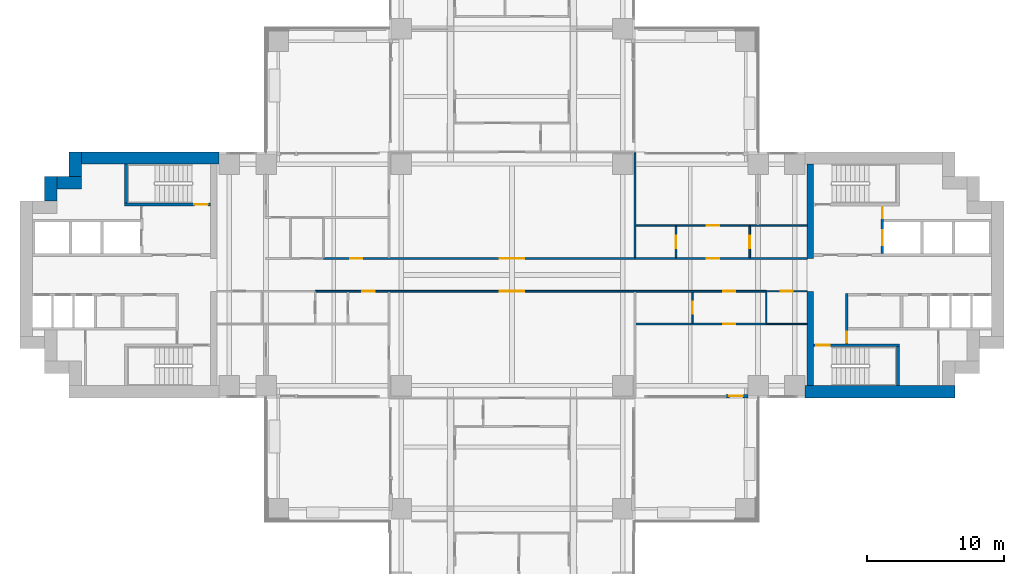
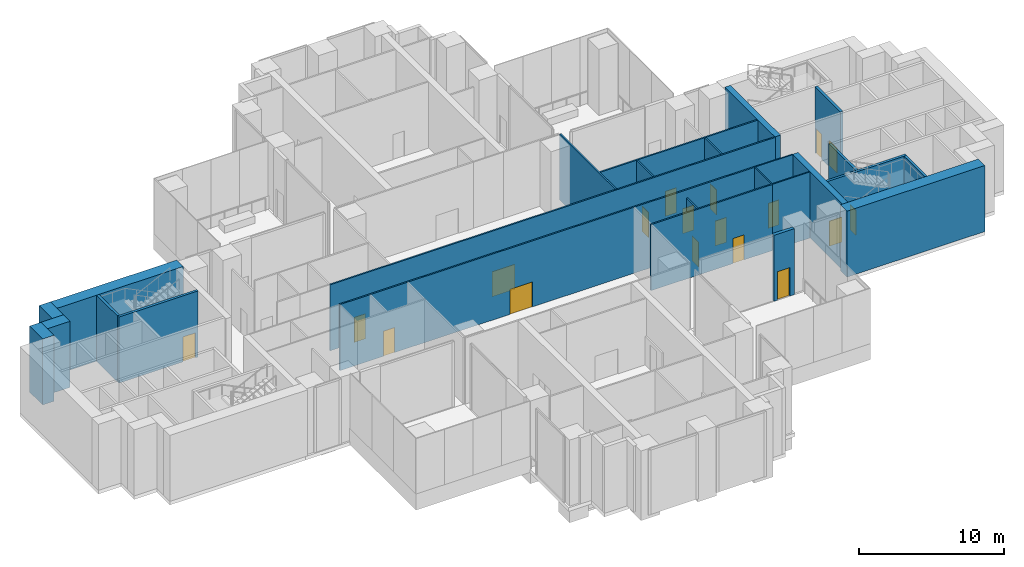
# One storey, part 10 of 17: 25 walls, 18 doors, 18 openings.
"""IFC4 building model written with IfcOpenShell, lengths in metres."""

from ifc_helpers import new_model, si_unit, direction, frame, frame_2d, origin, place, context, subcontext, project, spatial, rectangle, extrude, material, layer, layer_set, type_object, element, fill, save


model = new_model("IFC4")

# Units and contexts
model_context = context("Model", 3, precision=1e-05, world=origin(), true_north=direction((0.0, 1.0)))
body_context = subcontext(model_context, "Body", "Model", "MODEL_VIEW")
ifc_project = project(units=[si_unit("LENGTHUNIT", "METRE"), si_unit("AREAUNIT", "SQUARE_METRE"), si_unit("VOLUMEUNIT", "CUBIC_METRE"), si_unit("PLANEANGLEUNIT", "RADIAN"), si_unit("MASSUNIT", "GRAM", prefix="KILO")], contexts=[model_context])

# Site, building, storey
site_placement = place(None, origin())
site = spatial("IfcSite", under=ifc_project, at=site_placement, CompositionType="ELEMENT")
building_placement = place(site_placement, origin())
building = spatial("IfcBuilding", under=site, at=building_placement, Name="Perihelion Cross Residences", CompositionType="ELEMENT")
storey_placement = place(building_placement, frame((0.0, 0.0, 21.0)))
storey = spatial("IfcBuildingStorey", under=building, at=storey_placement, Name="L02", CompositionType="ELEMENT", Elevation=21.0)

# Wall, opening, door
ifc_material_1 = material(Name="Concrete C30/37, bronze-clad", Category="concrete")
ifc_layer_1 = layer(ifc_material_1, 0.25)
ifc_layer_set_1 = layer_set([ifc_layer_1], Name="Bronze-clad pier wall 250")
wall_type_1 = type_object("IfcWallType", Name="Bronze-clad pier wall 250", PredefinedType="SOLIDWALL", material=ifc_layer_set_1)
wall_1_placement = place(storey_placement, frame((15.64990234375, -8.875, 0.0), z_axis=(0.0, 0.0, 1.0), x_axis=(1.0, 0.0, 0.0)))
wall_1 = element("IfcWall", 1, at=wall_1_placement, inside=storey, type_object=wall_type_1, Name="Wall FW1 L02 east side south bay 1 pier", PredefinedType="SOLIDWALL", context=body_context, shape_type="SweptSolid", body=[
    extrude(rectangle(XDim=1.60009765625, YDim=0.25, at=frame_2d((0.800048828125, 0.0))), origin(), (0.0, 0.0, 1.0), 5.550048828125),
])
opening_1_placement = place(wall_1_placement, frame((0.25, 0.0, 0.0)))
opening_1 = element("IfcOpeningElement", 2, at=opening_1_placement, cuts=wall_1, Name="Opening L02.E08", PredefinedType="OPENING", context=body_context, shape_type="SweptSolid", body=[
    extrude(rectangle(XDim=1.0, YDim=2.39990234375, at=frame_2d((0.5, 1.199951171875))), frame((0.0, 0.135009765625, 0.0), z_axis=(0.0, -1.0, 0.0), x_axis=(1.0, 0.0, 0.0)), (0.0, 0.0, 1.0), 0.27001953125),
])
ifc_material_2 = material(Name="Bronze anodised aluminium, glazed", Category="aluminium")
door_type_1 = type_object("IfcDoorType", Name="Balcony door 1000 x 2400", OperationType="NOTDEFINED", PredefinedType="DOOR", material=ifc_material_2)
door_1_placement = place(opening_1_placement, origin())
door_1 = element("IfcDoor", 3, at=door_1_placement, inside=storey, type_object=door_type_1, Name="Door L02.E08 east side south bay 1", OperationType="SINGLE_SWING_LEFT", OverallHeight=2.39990234375, OverallWidth=1.0, PredefinedType="DOOR", context=body_context, shape_type="SweptSolid", body=[
    extrude(rectangle(XDim=1.0, YDim=2.39990234375, at=frame_2d((0.5, 1.199951171875))), frame((0.0, 0.02490234375, 0.0), z_axis=(0.0, -1.0, 0.0), x_axis=(1.0, 0.0, 0.0)), (0.0, 0.0, 1.0), 0.050048828125),
])
fill(opening_1, door_1)

# Walls
ifc_material_3 = material(Name="Concrete C60/75", Category="concrete")
ifc_layer_2 = layer(ifc_material_3, 0.449951171875)
ifc_layer_set_2 = layer_set([ifc_layer_2], Name="Core wall, inner 450")
wall_type_2 = type_object("IfcWallType", Name="Core wall, inner 450", PredefinedType="SHEAR", material=ifc_layer_set_2)
for number, where, z_axis, x_axis, name in (
    (4, (21.824951171875, -8.10009765625, 0.0), (0.0, 0.0, 1.0), (0.0, 1.0, 0.0), "East core core wall, inner"),
    (5, (21.824951171875, 1.199951171875, 0.0), (0.0, 0.0, 1.0), (0.0, 1.0, 0.0), "East core core wall, inner"),
):
    element("IfcWall", number, at=place(storey_placement, frame(where, z_axis=z_axis, x_axis=x_axis)), inside=storey, type_object=wall_type_2, Name=name, PredefinedType="SHEAR", context=body_context, shape_type="SweptSolid", body=[
        extrude(rectangle(XDim=6.900146484375, YDim=0.449951171875, at=frame_2d((3.4501953125, 0.0))), origin(), (0.0, 0.0, 1.0), 5.550048828125),
    ])
ifc_material_4 = material(Name="Concrete C60/75", Category="concrete")
ifc_layer_3 = layer(ifc_material_4, 0.89990234375)
ifc_layer_set_3 = layer_set([ifc_layer_3], Name="Core wall, outer 900")
wall_type_3 = type_object("IfcWallType", Name="Core wall, outer 900", PredefinedType="SHEAR", material=ifc_layer_set_3)
wall_2_placement = place(storey_placement, frame((21.449951171875, -8.550048828125, 0.0), z_axis=(0.0, 0.0, 1.0), x_axis=(1.0, 0.0, 0.0)))
element("IfcWall", 6, at=wall_2_placement, inside=storey, type_object=wall_type_3, Name="East core core wall, outer", PredefinedType="SHEAR", context=body_context, shape_type="SweptSolid", body=[
    extrude(rectangle(XDim=10.949951171875, YDim=0.89990234375, at=frame_2d((5.47509765625, 0.0))), origin(), (0.0, 0.0, 1.0), 5.550048828125),
])
for number, where, z_axis, x_axis, name in (
    (7, (-33.75, 5.39990234375, 0.0), (0.0, 0.0, 1.0), (0.0, 1.0, 0.0), "West core core wall, outer"),
    (8, (-33.300048828125, 6.75, 0.0), (0.0, 0.0, 1.0), (1.0, 0.0, 0.0), "West core core wall, outer"),
    (9, (-31.949951171875, 7.199951171875, 0.0), (0.0, 0.0, 1.0), (0.0, 1.0, 0.0), "West core core wall, outer"),
):
    element("IfcWall", number, at=place(storey_placement, frame(where, z_axis=z_axis, x_axis=x_axis)), inside=storey, type_object=wall_type_3, Name=name, PredefinedType="SHEAR", context=body_context, shape_type="SweptSolid", body=[
        extrude(rectangle(XDim=1.800048828125, YDim=0.89990234375, at=frame_2d((0.89990234375, 0.0))), origin(), (0.0, 0.0, 1.0), 5.550048828125),
    ])
wall_3_placement = place(storey_placement, frame((-31.5, 8.550048828125, 0.0), z_axis=(0.0, 0.0, 1.0), x_axis=(1.0, 0.0, 0.0)))
element("IfcWall", 10, at=wall_3_placement, inside=storey, type_object=wall_type_3, Name="West core core wall, outer", PredefinedType="SHEAR", context=body_context, shape_type="SweptSolid", body=[
    extrude(rectangle(XDim=10.050048828125, YDim=0.89990234375, at=frame_2d((5.02490234375, 0.0))), origin(), (0.0, 0.0, 1.0), 5.550048828125),
])

# Wall, opening, door
ifc_material_5 = material(Name="Concrete C50/60", Category="concrete")
ifc_layer_4 = layer(ifc_material_5, 0.199951171875)
ifc_layer_set_4 = layer_set([ifc_layer_4], Name="Lobby wall 200")
wall_type_4 = type_object("IfcWallType", Name="Lobby wall 200", PredefinedType="SOLIDWALL", material=ifc_layer_set_4)
wall_4_placement = place(storey_placement, frame((24.5, -5.050048828125, 0.0), z_axis=(0.0, 0.0, 1.0), x_axis=(0.0, 1.0, 0.0)))
wall_4 = element("IfcWall", 11, at=wall_4_placement, inside=storey, type_object=wall_type_4, Name="East core lobby wall", PredefinedType="SOLIDWALL", context=body_context, shape_type="SweptSolid", body=[
    extrude(rectangle(XDim=3.699951171875, YDim=0.199951171875, at=frame_2d((1.85009765625, 0.0))), origin(), (0.0, 0.0, 1.0), 5.550048828125),
])
opening_2_placement = place(wall_4_placement, frame((0.10009765625, 0.0, 0.0)))
opening_2 = element("IfcOpeningElement", 12, at=opening_2_placement, cuts=wall_4, Name="Opening L02.C08", PredefinedType="OPENING", context=body_context, shape_type="SweptSolid", body=[
    extrude(rectangle(XDim=0.800048828125, YDim=2.10009765625, at=frame_2d((0.39990234375, 1.050048828125))), frame((0.0, 0.10986328125, 0.0), z_axis=(0.0, -1.0, 0.0), x_axis=(1.0, 0.0, 0.0)), (0.0, 0.0, 1.0), 0.219970703125),
])
ifc_material_6 = material(Name="Steel, powder coated", Category="steel")
door_type_2 = type_object("IfcDoorType", Name="Riser door 800", OperationType="SINGLE_SWING_LEFT", PredefinedType="DOOR", material=ifc_material_6)
door_2_placement = place(opening_2_placement, origin())
door_2 = element("IfcDoor", 13, at=door_2_placement, inside=storey, type_object=door_type_2, Name="East core riser door", OperationType="SINGLE_SWING_LEFT", OverallHeight=2.10009765625, OverallWidth=0.800048828125, PredefinedType="DOOR", context=body_context, shape_type="SweptSolid", body=[
    extrude(rectangle(XDim=0.800048828125, YDim=2.10009765625, at=frame_2d((0.39990234375, 1.050048828125))), frame((0.0, 0.02490234375, 0.0), z_axis=(0.0, -1.0, 0.0), x_axis=(1.0, 0.0, 0.0)), (0.0, 0.0, 1.0), 0.050048828125),
])
fill(opening_2, door_2)

# Wall, openings, doors
ifc_material_7 = material(Name="Plasterboard partition")
ifc_layer_5 = layer(ifc_material_7, 0.1201171875)
ifc_layer_set_5 = layer_set([ifc_layer_5], Name="Partition wall 120")
wall_type_5 = type_object("IfcWallType", Name="Partition wall 120", PredefinedType="PARTITIONING", material=ifc_layer_set_5)
wall_5_placement = place(storey_placement, frame((-13.800048828125, 1.199951171875, 0.0), z_axis=(0.0, 0.0, 1.0), x_axis=(1.0, 0.0, 0.0)))
wall_5 = element("IfcWall", 14, at=wall_5_placement, inside=storey, type_object=wall_type_5, Name="Partition L02 W001", PredefinedType="PARTITIONING", context=body_context, shape_type="SweptSolid", body=[
    extrude(rectangle(XDim=35.400146484375, YDim=0.1201171875, at=frame_2d((17.7001953125, 0.0))), origin(), (0.0, 0.0, 1.0), 5.550048828125),
])
opening_3_placement = place(wall_5_placement, frame((12.89990234375, 0.0, 0.0)))
opening_3 = element("IfcOpeningElement", 15, at=opening_3_placement, cuts=wall_5, Name="Opening L02.A01", PredefinedType="OPENING", context=body_context, shape_type="SweptSolid", body=[
    extrude(rectangle(XDim=1.800048828125, YDim=2.10009765625, at=frame_2d((0.89990234375, 1.050048828125))), frame((0.0, 0.070068359375, 0.0), z_axis=(0.0, -1.0, 0.0), x_axis=(1.0, 0.0, 0.0)), (0.0, 0.0, 1.0), 0.14013671875),
])
opening_4_placement = place(wall_5_placement, frame((28.050048828125, 0.0, 0.0)))
opening_4 = element("IfcOpeningElement", 16, at=opening_4_placement, cuts=wall_5, Name="Opening L02.A03", PredefinedType="OPENING", context=body_context, shape_type="SweptSolid", body=[
    extrude(rectangle(XDim=0.89990234375, YDim=2.10009765625, at=frame_2d((0.449951171875, 1.050048828125))), frame((0.0, 0.070068359375, 0.0), z_axis=(0.0, -1.0, 0.0), x_axis=(1.0, 0.0, 0.0)), (0.0, 0.0, 1.0), 0.14013671875),
])
opening_5_placement = place(wall_5_placement, frame((1.949951171875, 0.0, 0.0)))
opening_5 = element("IfcOpeningElement", 17, at=opening_5_placement, cuts=wall_5, Name="Opening L02.A06", PredefinedType="OPENING", context=body_context, shape_type="SweptSolid", body=[
    extrude(rectangle(XDim=0.89990234375, YDim=2.10009765625, at=frame_2d((0.449951171875, 1.050048828125))), frame((0.0, 0.070068359375, 0.0), z_axis=(0.0, -1.0, 0.0), x_axis=(1.0, 0.0, 0.0)), (0.0, 0.0, 1.0), 0.14013671875),
])
ifc_material_8 = material(Name="Glazed timber door leaf", Category="wood")
door_type_3 = type_object("IfcDoorType", Name="Interior double leaf door 1800 x 2100", OperationType="DOUBLE_DOOR_SINGLE_SWING", PredefinedType="DOOR", material=ifc_material_8)
door_3_placement = place(opening_3_placement, origin())
door_3 = element("IfcDoor", 18, at=door_3_placement, inside=storey, type_object=door_type_3, Name="Door L02.A01", OperationType="SINGLE_SWING_LEFT", OverallHeight=2.10009765625, OverallWidth=1.800048828125, PredefinedType="DOOR", context=body_context, shape_type="SweptSolid", body=[
    extrude(rectangle(XDim=1.800048828125, YDim=2.10009765625, at=frame_2d((0.89990234375, 1.050048828125))), frame((0.0, 0.02490234375, 0.0), z_axis=(0.0, -1.0, 0.0), x_axis=(1.0, 0.0, 0.0)), (0.0, 0.0, 1.0), 0.050048828125),
])
fill(opening_3, door_3)
ifc_material_9 = material(Name="Timber door leaf", Category="wood")
door_type_4 = type_object("IfcDoorType", Name="Interior room door 900 x 2100", OperationType="SINGLE_SWING_LEFT", PredefinedType="DOOR", material=ifc_material_9)
door_4_placement = place(opening_4_placement, origin())
door_4 = element("IfcDoor", 19, at=door_4_placement, inside=storey, type_object=door_type_4, Name="Door L02.A03", OperationType="SINGLE_SWING_RIGHT", OverallHeight=2.10009765625, OverallWidth=0.89990234375, PredefinedType="DOOR", context=body_context, shape_type="SweptSolid", body=[
    extrude(rectangle(XDim=0.89990234375, YDim=2.10009765625, at=frame_2d((0.449951171875, 1.050048828125))), frame((0.0, 0.02490234375, 0.0), z_axis=(0.0, -1.0, 0.0), x_axis=(1.0, 0.0, 0.0)), (0.0, 0.0, 1.0), 0.050048828125),
])
fill(opening_4, door_4)
door_5_placement = place(opening_5_placement, origin())
door_5 = element("IfcDoor", 20, at=door_5_placement, inside=storey, type_object=door_type_4, Name="Door L02.A06", OperationType="SINGLE_SWING_LEFT", OverallHeight=2.10009765625, OverallWidth=0.89990234375, PredefinedType="DOOR", context=body_context, shape_type="SweptSolid", body=[
    extrude(rectangle(XDim=0.89990234375, YDim=2.10009765625, at=frame_2d((0.449951171875, 1.050048828125))), frame((0.0, 0.02490234375, 0.0), z_axis=(0.0, -1.0, 0.0), x_axis=(1.0, 0.0, 0.0)), (0.0, 0.0, 1.0), 0.050048828125),
])
fill(opening_5, door_5)

wall_6_placement = place(storey_placement, frame((18.60009765625, -1.199951171875, 0.0), z_axis=(0.0, 0.0, 1.0), x_axis=(-1.0, 0.0, 0.0)))
wall_6 = element("IfcWall", 21, at=wall_6_placement, inside=storey, type_object=wall_type_5, Name="Partition L02 W002", PredefinedType="PARTITIONING", context=body_context, shape_type="SweptSolid", body=[
    extrude(rectangle(XDim=33.0, YDim=0.1201171875, at=frame_2d((16.5, 0.0))), origin(), (0.0, 0.0, 1.0), 5.550048828125),
])
opening_6_placement = place(wall_6_placement, frame((17.699951171875, 0.0, 0.0)))
opening_6 = element("IfcOpeningElement", 22, at=opening_6_placement, cuts=wall_6, Name="Opening L02.A02", PredefinedType="OPENING", context=body_context, shape_type="SweptSolid", body=[
    extrude(rectangle(XDim=1.800048828125, YDim=2.10009765625, at=frame_2d((0.89990234375, 1.050048828125))), frame((0.0, 0.070068359375, 0.0), z_axis=(0.0, -1.0, 0.0), x_axis=(1.0, 0.0, 0.0)), (0.0, 0.0, 1.0), 0.14013671875),
])
opening_7_placement = place(wall_6_placement, frame((2.25, 0.0, 0.0)))
opening_7 = element("IfcOpeningElement", 23, at=opening_7_placement, cuts=wall_6, Name="Opening L02.A04", PredefinedType="OPENING", context=body_context, shape_type="SweptSolid", body=[
    extrude(rectangle(XDim=0.89990234375, YDim=2.10009765625, at=frame_2d((0.449951171875, 1.050048828125))), frame((0.0, 0.070068359375, 0.0), z_axis=(0.0, -1.0, 0.0), x_axis=(1.0, 0.0, 0.0)), (0.0, 0.0, 1.0), 0.14013671875),
])
opening_8_placement = place(wall_6_placement, frame((28.64990234375, 0.0, 0.0)))
opening_8 = element("IfcOpeningElement", 24, at=opening_8_placement, cuts=wall_6, Name="Opening L02.A08", PredefinedType="OPENING", context=body_context, shape_type="SweptSolid", body=[
    extrude(rectangle(XDim=0.89990234375, YDim=2.10009765625, at=frame_2d((0.449951171875, 1.050048828125))), frame((0.0, 0.070068359375, 0.0), z_axis=(0.0, -1.0, 0.0), x_axis=(1.0, 0.0, 0.0)), (0.0, 0.0, 1.0), 0.14013671875),
])
door_6_placement = place(opening_6_placement, origin())
door_6 = element("IfcDoor", 25, at=door_6_placement, inside=storey, type_object=door_type_3, Name="Door L02.A02", OperationType="SINGLE_SWING_LEFT", OverallHeight=2.10009765625, OverallWidth=1.800048828125, PredefinedType="DOOR", context=body_context, shape_type="SweptSolid", body=[
    extrude(rectangle(XDim=1.800048828125, YDim=2.10009765625, at=frame_2d((0.89990234375, 1.050048828125))), frame((0.0, 0.02490234375, 0.0), z_axis=(0.0, -1.0, 0.0), x_axis=(1.0, 0.0, 0.0)), (0.0, 0.0, 1.0), 0.050048828125),
])
fill(opening_6, door_6)
door_7_placement = place(opening_7_placement, origin())
door_7 = element("IfcDoor", 26, at=door_7_placement, inside=storey, type_object=door_type_4, Name="Door L02.A04", OperationType="SINGLE_SWING_RIGHT", OverallHeight=2.10009765625, OverallWidth=0.89990234375, PredefinedType="DOOR", context=body_context, shape_type="SweptSolid", body=[
    extrude(rectangle(XDim=0.89990234375, YDim=2.10009765625, at=frame_2d((0.449951171875, 1.050048828125))), frame((0.0, 0.02490234375, 0.0), z_axis=(0.0, -1.0, 0.0), x_axis=(1.0, 0.0, 0.0)), (0.0, 0.0, 1.0), 0.050048828125),
])
fill(opening_7, door_7)
door_8_placement = place(opening_8_placement, origin())
door_8 = element("IfcDoor", 27, at=door_8_placement, inside=storey, type_object=door_type_4, Name="Door L02.A08", OperationType="SINGLE_SWING_RIGHT", OverallHeight=2.10009765625, OverallWidth=0.89990234375, PredefinedType="DOOR", context=body_context, shape_type="SweptSolid", body=[
    extrude(rectangle(XDim=0.89990234375, YDim=2.10009765625, at=frame_2d((0.449951171875, 1.050048828125))), frame((0.0, 0.02490234375, 0.0), z_axis=(0.0, -1.0, 0.0), x_axis=(1.0, 0.0, 0.0)), (0.0, 0.0, 1.0), 0.050048828125),
])
fill(opening_8, door_8)

# Wall
wall_7_placement = place(storey_placement, frame((9.0, 8.919921875, 0.0), z_axis=(0.0, 0.0, 1.0), x_axis=(0.0, -1.0, 0.0)))
element("IfcWall", 28, at=wall_7_placement, inside=storey, type_object=wall_type_5, Name="Partition L02 W007", PredefinedType="PARTITIONING", context=body_context, shape_type="SweptSolid", body=[
    extrude(rectangle(XDim=7.659912109375, YDim=0.1201171875, at=frame_2d((3.830078125, 0.0))), origin(), (0.0, 0.0, 1.0), 5.550048828125),
])

# Wall, opening, door
wall_8_placement = place(storey_placement, frame((21.60009765625, 3.60009765625, 0.0), z_axis=(0.0, 0.0, 1.0), x_axis=(-1.0, 0.0, 0.0)))
wall_8 = element("IfcWall", 29, at=wall_8_placement, inside=storey, type_object=wall_type_5, Name="Partition L02 W018", PredefinedType="PARTITIONING", context=body_context, shape_type="SweptSolid", body=[
    extrude(rectangle(XDim=12.66015625, YDim=0.1201171875, at=frame_2d((6.330078125, 0.0))), origin(), (0.0, 0.0, 1.0), 5.550048828125),
])
opening_9_placement = place(wall_8_placement, frame((6.449951171875, 0.0, 0.0)))
opening_9 = element("IfcOpeningElement", 30, at=opening_9_placement, cuts=wall_8, Name="Opening L02.A12", PredefinedType="OPENING", context=body_context, shape_type="SweptSolid", body=[
    extrude(rectangle(XDim=0.89990234375, YDim=2.10009765625, at=frame_2d((0.449951171875, 1.050048828125))), frame((0.0, 0.070068359375, 0.0), z_axis=(0.0, -1.0, 0.0), x_axis=(1.0, 0.0, 0.0)), (0.0, 0.0, 1.0), 0.14013671875),
])
door_9_placement = place(opening_9_placement, origin())
door_9 = element("IfcDoor", 31, at=door_9_placement, inside=storey, type_object=door_type_4, Name="Door L02.A12", OperationType="SINGLE_SWING_RIGHT", OverallHeight=2.10009765625, OverallWidth=0.89990234375, PredefinedType="DOOR", context=body_context, shape_type="SweptSolid", body=[
    extrude(rectangle(XDim=0.89990234375, YDim=2.10009765625, at=frame_2d((0.449951171875, 1.050048828125))), frame((0.0, 0.02490234375, 0.0), z_axis=(0.0, -1.0, 0.0), x_axis=(1.0, 0.0, 0.0)), (0.0, 0.0, 1.0), 0.050048828125),
])
fill(opening_9, door_9)

wall_9_placement = place(storey_placement, frame((12.0, 3.5400390625, 0.0), z_axis=(0.0, 0.0, 1.0), x_axis=(0.0, -1.0, 0.0)))
wall_9 = element("IfcWall", 32, at=wall_9_placement, inside=storey, type_object=wall_type_5, Name="Partition L02 W019", PredefinedType="PARTITIONING", context=body_context, shape_type="SweptSolid", body=[
    extrude(rectangle(XDim=2.280029296875, YDim=0.1201171875, at=frame_2d((1.14013671875, 0.0))), origin(), (0.0, 0.0, 1.0), 5.550048828125),
])
opening_10_placement = place(wall_9_placement, frame((0.68994140625, 0.0, 0.0)))
opening_10 = element("IfcOpeningElement", 33, at=opening_10_placement, cuts=wall_9, Name="Opening L02.A15", PredefinedType="OPENING", context=body_context, shape_type="SweptSolid", body=[
    extrude(rectangle(XDim=0.89990234375, YDim=2.10009765625, at=frame_2d((0.449951171875, 1.050048828125))), frame((0.0, 0.070068359375, 0.0), z_axis=(0.0, -1.0, 0.0), x_axis=(1.0, 0.0, 0.0)), (0.0, 0.0, 1.0), 0.14013671875),
])
door_10_placement = place(opening_10_placement, origin())
door_10 = element("IfcDoor", 34, at=door_10_placement, inside=storey, type_object=door_type_4, Name="Door L02.A15", OperationType="SINGLE_SWING_RIGHT", OverallHeight=2.10009765625, OverallWidth=0.89990234375, PredefinedType="DOOR", context=body_context, shape_type="SweptSolid", body=[
    extrude(rectangle(XDim=0.89990234375, YDim=2.10009765625, at=frame_2d((0.449951171875, 1.050048828125))), frame((0.0, 0.02490234375, 0.0), z_axis=(0.0, -1.0, 0.0), x_axis=(1.0, 0.0, 0.0)), (0.0, 0.0, 1.0), 0.050048828125),
])
fill(opening_10, door_10)

wall_10_placement = place(storey_placement, frame((17.39990234375, 3.5400390625, 0.0), z_axis=(0.0, 0.0, 1.0), x_axis=(0.0, -1.0, 0.0)))
wall_10 = element("IfcWall", 35, at=wall_10_placement, inside=storey, type_object=wall_type_5, Name="Partition L02 W020", PredefinedType="PARTITIONING", context=body_context, shape_type="SweptSolid", body=[
    extrude(rectangle(XDim=2.280029296875, YDim=0.1201171875, at=frame_2d((1.14013671875, 0.0))), origin(), (0.0, 0.0, 1.0), 5.550048828125),
])
opening_11_placement = place(wall_10_placement, frame((0.68994140625, 0.0, 0.0)))
opening_11 = element("IfcOpeningElement", 36, at=opening_11_placement, cuts=wall_10, Name="Opening L02.A16", PredefinedType="OPENING", context=body_context, shape_type="SweptSolid", body=[
    extrude(rectangle(XDim=0.89990234375, YDim=2.10009765625, at=frame_2d((0.449951171875, 1.050048828125))), frame((0.0, 0.070068359375, 0.0), z_axis=(0.0, -1.0, 0.0), x_axis=(1.0, 0.0, 0.0)), (0.0, 0.0, 1.0), 0.14013671875),
])
door_11_placement = place(opening_11_placement, origin())
door_11 = element("IfcDoor", 37, at=door_11_placement, inside=storey, type_object=door_type_4, Name="Door L02.A16", OperationType="SINGLE_SWING_LEFT", OverallHeight=2.10009765625, OverallWidth=0.89990234375, PredefinedType="DOOR", context=body_context, shape_type="SweptSolid", body=[
    extrude(rectangle(XDim=0.89990234375, YDim=2.10009765625, at=frame_2d((0.449951171875, 1.050048828125))), frame((0.0, 0.02490234375, 0.0), z_axis=(0.0, -1.0, 0.0), x_axis=(1.0, 0.0, 0.0)), (0.0, 0.0, 1.0), 0.050048828125),
])
fill(opening_11, door_11)

wall_11_placement = place(storey_placement, frame((8.93994140625, -3.60009765625, 0.0), z_axis=(0.0, 0.0, 1.0), x_axis=(1.0, 0.0, 0.0)))
wall_11 = element("IfcWall", 38, at=wall_11_placement, inside=storey, type_object=wall_type_5, Name="Partition L02 W021", PredefinedType="PARTITIONING", context=body_context, shape_type="SweptSolid", body=[
    extrude(rectangle(XDim=9.66015625, YDim=0.1201171875, at=frame_2d((4.830078125, 0.0))), origin(), (0.0, 0.0, 1.0), 5.550048828125),
])
opening_12_placement = place(wall_11_placement, frame((6.510009765625, 0.0, 0.0)))
opening_12 = element("IfcOpeningElement", 39, at=opening_12_placement, cuts=wall_11, Name="Opening L02.A18", PredefinedType="OPENING", context=body_context, shape_type="SweptSolid", body=[
    extrude(rectangle(XDim=0.89990234375, YDim=2.10009765625, at=frame_2d((0.449951171875, 1.050048828125))), frame((0.0, 0.070068359375, 0.0), z_axis=(0.0, -1.0, 0.0), x_axis=(1.0, 0.0, 0.0)), (0.0, 0.0, 1.0), 0.14013671875),
])
door_12_placement = place(opening_12_placement, origin())
door_12 = element("IfcDoor", 40, at=door_12_placement, inside=storey, type_object=door_type_4, Name="Door L02.A18", OperationType="SINGLE_SWING_RIGHT", OverallHeight=2.10009765625, OverallWidth=0.89990234375, PredefinedType="DOOR", context=body_context, shape_type="SweptSolid", body=[
    extrude(rectangle(XDim=0.89990234375, YDim=2.10009765625, at=frame_2d((0.449951171875, 1.050048828125))), frame((0.0, 0.02490234375, 0.0), z_axis=(0.0, -1.0, 0.0), x_axis=(1.0, 0.0, 0.0)), (0.0, 0.0, 1.0), 0.050048828125),
])
fill(opening_12, door_12)

wall_12_placement = place(storey_placement, frame((13.199951171875, -1.260009765625, 0.0), z_axis=(0.0, 0.0, 1.0), x_axis=(0.0, -1.0, 0.0)))
wall_12 = element("IfcWall", 41, at=wall_12_placement, inside=storey, type_object=wall_type_5, Name="Partition L02 W023", PredefinedType="PARTITIONING", context=body_context, shape_type="SweptSolid", body=[
    extrude(rectangle(XDim=2.280029296875, YDim=0.1201171875, at=frame_2d((1.14013671875, 0.0))), origin(), (0.0, 0.0, 1.0), 4.85693359375),
])
opening_13_placement = place(wall_12_placement, frame((0.68994140625, 0.0, 0.0)))
opening_13 = element("IfcOpeningElement", 42, at=opening_13_placement, cuts=wall_12, Name="Opening L02.A19", PredefinedType="OPENING", context=body_context, shape_type="SweptSolid", body=[
    extrude(rectangle(XDim=0.89990234375, YDim=2.10009765625, at=frame_2d((0.449951171875, 1.050048828125))), frame((0.0, 0.070068359375, 0.0), z_axis=(0.0, -1.0, 0.0), x_axis=(1.0, 0.0, 0.0)), (0.0, 0.0, 1.0), 0.14013671875),
])
door_13_placement = place(opening_13_placement, origin())
door_13 = element("IfcDoor", 43, at=door_13_placement, inside=storey, type_object=door_type_4, Name="Door L02.A19", OperationType="SINGLE_SWING_RIGHT", OverallHeight=2.10009765625, OverallWidth=0.89990234375, PredefinedType="DOOR", context=body_context, shape_type="SweptSolid", body=[
    extrude(rectangle(XDim=0.89990234375, YDim=2.10009765625, at=frame_2d((0.449951171875, 1.050048828125))), frame((0.0, 0.02490234375, 0.0), z_axis=(0.0, -1.0, 0.0), x_axis=(1.0, 0.0, 0.0)), (0.0, 0.0, 1.0), 0.050048828125),
])
fill(opening_13, door_13)

# Wall, openings, doors
ifc_material_10 = material(Name="Concrete C50/60", Category="concrete")
ifc_layer_6 = layer(ifc_material_10, 0.199951171875)
ifc_layer_set_6 = layer_set([ifc_layer_6], Name="Shaft wall 200")
wall_type_6 = type_object("IfcWallType", Name="Shaft wall 200", PredefinedType="SOLIDWALL", material=ifc_layer_set_6)
wall_13_placement = place(storey_placement, frame((27.10009765625, 1.550048828125, 0.0), z_axis=(0.0, 0.0, 1.0), x_axis=(0.0, 1.0, 0.0)))
wall_13 = element("IfcWall", 44, at=wall_13_placement, inside=storey, type_object=wall_type_6, Name="East core shaft wall", PredefinedType="SOLIDWALL", context=body_context, shape_type="SweptSolid", body=[
    extrude(rectangle(XDim=3.5, YDim=0.199951171875, at=frame_2d((1.75, 0.0))), origin(), (0.0, 0.0, 1.0), 5.550048828125),
])
opening_14_placement = place(wall_13_placement, frame((0.60009765625, 0.0, 0.0)))
opening_14 = element("IfcOpeningElement", 45, at=opening_14_placement, cuts=wall_13, Name="Opening L02.C01", PredefinedType="OPENING", context=body_context, shape_type="SweptSolid", body=[
    extrude(rectangle(XDim=1.10009765625, YDim=2.10009765625, at=frame_2d((0.550048828125, 1.050048828125))), frame((0.0, 0.10986328125, 0.0), z_axis=(0.0, -1.0, 0.0), x_axis=(1.0, 0.0, 0.0)), (0.0, 0.0, 1.0), 0.219970703125),
])
opening_15_placement = place(wall_13_placement, frame((2.60009765625, 0.0, 0.0)))
opening_15 = element("IfcOpeningElement", 46, at=opening_15_placement, cuts=wall_13, Name="Opening L02.C11", PredefinedType="OPENING", context=body_context, shape_type="SweptSolid", body=[
    extrude(rectangle(XDim=0.800048828125, YDim=2.10009765625, at=frame_2d((0.39990234375, 1.050048828125))), frame((0.0, 0.10986328125, 0.0), z_axis=(0.0, -1.0, 0.0), x_axis=(1.0, 0.0, 0.0)), (0.0, 0.0, 1.0), 0.219970703125),
])
ifc_material_11 = material(Name="Stainless steel", Category="steel")
door_type_5 = type_object("IfcDoorType", Name="Landing door, firefighting lift 1100", OperationType="DOUBLE_DOOR_SLIDING", PredefinedType="DOOR", material=ifc_material_11)
door_14_placement = place(opening_14_placement, origin())
door_14 = element("IfcDoor", 47, at=door_14_placement, inside=storey, type_object=door_type_5, Name="Landing door, East core firefighting and service lift", OperationType="DOUBLE_DOOR_SLIDING", OverallHeight=2.10009765625, OverallWidth=1.10009765625, PredefinedType="DOOR", context=body_context, shape_type="SweptSolid", body=[
    extrude(rectangle(XDim=1.10009765625, YDim=2.10009765625, at=frame_2d((0.550048828125, 1.050048828125))), frame((0.0, 0.02490234375, 0.0), z_axis=(0.0, -1.0, 0.0), x_axis=(1.0, 0.0, 0.0)), (0.0, 0.0, 1.0), 0.050048828125),
])
fill(opening_14, door_14)
door_15_placement = place(opening_15_placement, origin())
door_15 = element("IfcDoor", 48, at=door_15_placement, inside=storey, type_object=door_type_2, Name="East core riser door", OperationType="SINGLE_SWING_LEFT", OverallHeight=2.10009765625, OverallWidth=0.800048828125, PredefinedType="DOOR", context=body_context, shape_type="SweptSolid", body=[
    extrude(rectangle(XDim=0.800048828125, YDim=2.10009765625, at=frame_2d((0.39990234375, 1.050048828125))), frame((0.0, 0.02490234375, 0.0), z_axis=(0.0, -1.0, 0.0), x_axis=(1.0, 0.0, 0.0)), (0.0, 0.0, 1.0), 0.050048828125),
])
fill(opening_15, door_15)

# Wall, opening, door
ifc_material_12 = material(Name="Concrete C50/60", Category="concrete")
ifc_layer_7 = layer(ifc_material_12, 0.199951171875)
ifc_layer_set_7 = layer_set([ifc_layer_7], Name="Stair wall 200")
wall_type_7 = type_object("IfcWallType", Name="Stair wall 200", PredefinedType="SOLIDWALL", material=ifc_layer_set_7)
wall_14_placement = place(storey_placement, frame((22.050048828125, -5.14990234375, 0.0), z_axis=(0.0, 0.0, 1.0), x_axis=(1.0, 0.0, 0.0)))
wall_14 = element("IfcWall", 49, at=wall_14_placement, inside=storey, type_object=wall_type_7, Name="East core stair wall", PredefinedType="SOLIDWALL", context=body_context, shape_type="SweptSolid", body=[
    extrude(rectangle(XDim=6.300048828125, YDim=0.199951171875, at=frame_2d((3.14990234375, 0.0))), origin(), (0.0, 0.0, 1.0), 5.550048828125),
])
opening_16_placement = place(wall_14_placement, frame((0.199951171875, 0.0, 0.0)))
opening_16 = element("IfcOpeningElement", 50, at=opening_16_placement, cuts=wall_14, Name="Opening L02.C05", PredefinedType="OPENING", context=body_context, shape_type="SweptSolid", body=[
    extrude(rectangle(XDim=1.0, YDim=2.10009765625, at=frame_2d((0.5, 1.050048828125))), frame((0.0, 0.10986328125, 0.0), z_axis=(0.0, -1.0, 0.0), x_axis=(1.0, 0.0, 0.0)), (0.0, 0.0, 1.0), 0.219970703125),
])
ifc_material_13 = material(Name="Steel, powder coated", Category="steel")
door_type_6 = type_object("IfcDoorType", Name="Stair door 1000", OperationType="SINGLE_SWING_LEFT", PredefinedType="DOOR", material=ifc_material_13)
door_16_placement = place(opening_16_placement, origin())
door_16 = element("IfcDoor", 51, at=door_16_placement, inside=storey, type_object=door_type_6, Name="East core stair door", OperationType="SINGLE_SWING_LEFT", OverallHeight=2.10009765625, OverallWidth=1.0, PredefinedType="DOOR", context=body_context, shape_type="SweptSolid", body=[
    extrude(rectangle(XDim=1.0, YDim=2.10009765625, at=frame_2d((0.5, 1.050048828125))), frame((0.0, 0.02490234375, 0.0), z_axis=(0.0, -1.0, 0.0), x_axis=(1.0, 0.0, 0.0)), (0.0, 0.0, 1.0), 0.050048828125),
])
fill(opening_16, door_16)

# Wall
wall_15_placement = place(storey_placement, frame((28.25, -8.10009765625, 0.0), z_axis=(0.0, 0.0, 1.0), x_axis=(0.0, 1.0, 0.0)))
element("IfcWall", 52, at=wall_15_placement, inside=storey, type_object=wall_type_7, Name="East core stair wall", PredefinedType="SOLIDWALL", context=body_context, shape_type="SweptSolid", body=[
    extrude(rectangle(XDim=2.85009765625, YDim=0.199951171875, at=frame_2d((1.425048828125, 0.0))), origin(), (0.0, 0.0, 1.0), 5.550048828125),
])

# Wall, opening, door
wall_16_placement = place(storey_placement, frame((-28.35009765625, 5.14990234375, 0.0), z_axis=(0.0, 0.0, 1.0), x_axis=(1.0, 0.0, 0.0)))
wall_16 = element("IfcWall", 53, at=wall_16_placement, inside=storey, type_object=wall_type_7, Name="West core stair wall", PredefinedType="SOLIDWALL", context=body_context, shape_type="SweptSolid", body=[
    extrude(rectangle(XDim=6.300048828125, YDim=0.199951171875, at=frame_2d((3.14990234375, 0.0))), origin(), (0.0, 0.0, 1.0), 5.550048828125),
])
opening_17_placement = place(wall_16_placement, frame((5.10009765625, 0.0, 0.0)))
opening_17 = element("IfcOpeningElement", 54, at=opening_17_placement, cuts=wall_16, Name="Opening L02.C19", PredefinedType="OPENING", context=body_context, shape_type="SweptSolid", body=[
    extrude(rectangle(XDim=1.0, YDim=2.10009765625, at=frame_2d((0.5, 1.050048828125))), frame((0.0, 0.10986328125, 0.0), z_axis=(0.0, -1.0, 0.0), x_axis=(1.0, 0.0, 0.0)), (0.0, 0.0, 1.0), 0.219970703125),
])
door_17_placement = place(opening_17_placement, origin())
door_17 = element("IfcDoor", 55, at=door_17_placement, inside=storey, type_object=door_type_6, Name="West core stair door", OperationType="SINGLE_SWING_LEFT", OverallHeight=2.10009765625, OverallWidth=1.0, PredefinedType="DOOR", context=body_context, shape_type="SweptSolid", body=[
    extrude(rectangle(XDim=1.0, YDim=2.10009765625, at=frame_2d((0.5, 1.050048828125))), frame((0.0, 0.02490234375, 0.0), z_axis=(0.0, -1.0, 0.0), x_axis=(1.0, 0.0, 0.0)), (0.0, 0.0, 1.0), 0.050048828125),
])
fill(opening_17, door_17)

# Wall
wall_17_placement = place(storey_placement, frame((-28.25, 5.25, 0.0), z_axis=(0.0, 0.0, 1.0), x_axis=(0.0, 1.0, 0.0)))
element("IfcWall", 56, at=wall_17_placement, inside=storey, type_object=wall_type_7, Name="West core stair wall", PredefinedType="SOLIDWALL", context=body_context, shape_type="SweptSolid", body=[
    extrude(rectangle(XDim=2.85009765625, YDim=0.199951171875, at=frame_2d((1.425048828125, 0.0))), origin(), (0.0, 0.0, 1.0), 5.550048828125),
])

# Wall, opening, door
ifc_material_14 = material(Name="Plasterboard partition")
ifc_layer_8 = layer(ifc_material_14, 0.10009765625)
ifc_layer_set_8 = layer_set([ifc_layer_8], Name="Wet room wall 100")
wall_type_8 = type_object("IfcWallType", Name="Wet room wall 100", PredefinedType="PARTITIONING", material=ifc_layer_set_8)
wall_18_placement = place(storey_placement, frame((21.60009765625, -1.199951171875, 0.0), z_axis=(0.0, 0.0, 1.0), x_axis=(-1.0, 0.0, 0.0)))
wall_18 = element("IfcWall", 57, at=wall_18_placement, inside=storey, type_object=wall_type_8, Name="Partition L02 W003", PredefinedType="PARTITIONING", context=body_context, shape_type="SweptSolid", body=[
    extrude(rectangle(XDim=3.0, YDim=0.10009765625, at=frame_2d((1.5, 0.0))), origin(), (0.0, 0.0, 1.0), 5.550048828125),
])
opening_18_placement = place(wall_18_placement, frame((1.074951171875, 0.0, 0.0)))
opening_18 = element("IfcOpeningElement", 58, at=opening_18_placement, cuts=wall_18, Name="Opening L02.A05", PredefinedType="OPENING", context=body_context, shape_type="SweptSolid", body=[
    extrude(rectangle(XDim=0.85009765625, YDim=2.10009765625, at=frame_2d((0.425048828125, 1.050048828125))), frame((0.0, 0.06005859375, 0.0), z_axis=(0.0, -1.0, 0.0), x_axis=(1.0, 0.0, 0.0)), (0.0, 0.0, 1.0), 0.1201171875),
])
ifc_material_15 = material(Name="Timber door leaf", Category="wood")
door_type_7 = type_object("IfcDoorType", Name="Interior bathroom door 850 x 2100", OperationType="SINGLE_SWING_LEFT", PredefinedType="DOOR", material=ifc_material_15)
door_18_placement = place(opening_18_placement, origin())
door_18 = element("IfcDoor", 59, at=door_18_placement, inside=storey, type_object=door_type_7, Name="Door L02.A05", OperationType="SINGLE_SWING_LEFT", OverallHeight=2.10009765625, OverallWidth=0.85009765625, PredefinedType="DOOR", context=body_context, shape_type="SweptSolid", body=[
    extrude(rectangle(XDim=0.85009765625, YDim=2.10009765625, at=frame_2d((0.425048828125, 1.050048828125))), frame((0.0, 0.02490234375, 0.0), z_axis=(0.0, -1.0, 0.0), x_axis=(1.0, 0.0, 0.0)), (0.0, 0.0, 1.0), 0.050048828125),
])
fill(opening_18, door_18)

# Walls
wall_19_placement = place(storey_placement, frame((18.60009765625, -3.60009765625, 0.0), z_axis=(0.0, 0.0, 1.0), x_axis=(1.0, 0.0, 0.0)))
element("IfcWall", 60, at=wall_19_placement, inside=storey, type_object=wall_type_8, Name="Partition L02 W022", PredefinedType="PARTITIONING", context=body_context, shape_type="SweptSolid", body=[
    extrude(rectangle(XDim=3.0, YDim=0.10009765625, at=frame_2d((1.5, 0.0))), origin(), (0.0, 0.0, 1.0), 5.550048828125),
])
wall_20_placement = place(storey_placement, frame((18.60009765625, -1.260009765625, 0.0), z_axis=(0.0, 0.0, 1.0), x_axis=(0.0, -1.0, 0.0)))
element("IfcWall", 61, at=wall_20_placement, inside=storey, type_object=wall_type_8, Name="Partition L02 W024", PredefinedType="PARTITIONING", context=body_context, shape_type="SweptSolid", body=[
    extrude(rectangle(XDim=2.280029296875, YDim=0.10009765625, at=frame_2d((1.14013671875, 0.0))), origin(), (0.0, 0.0, 1.0), 5.550048828125),
])

save(model, "model.ifc")
